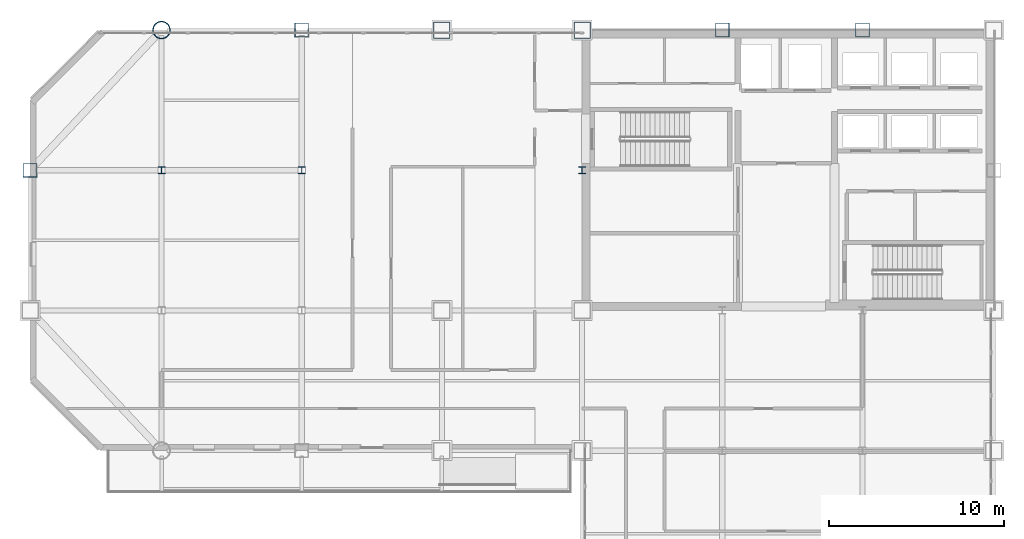
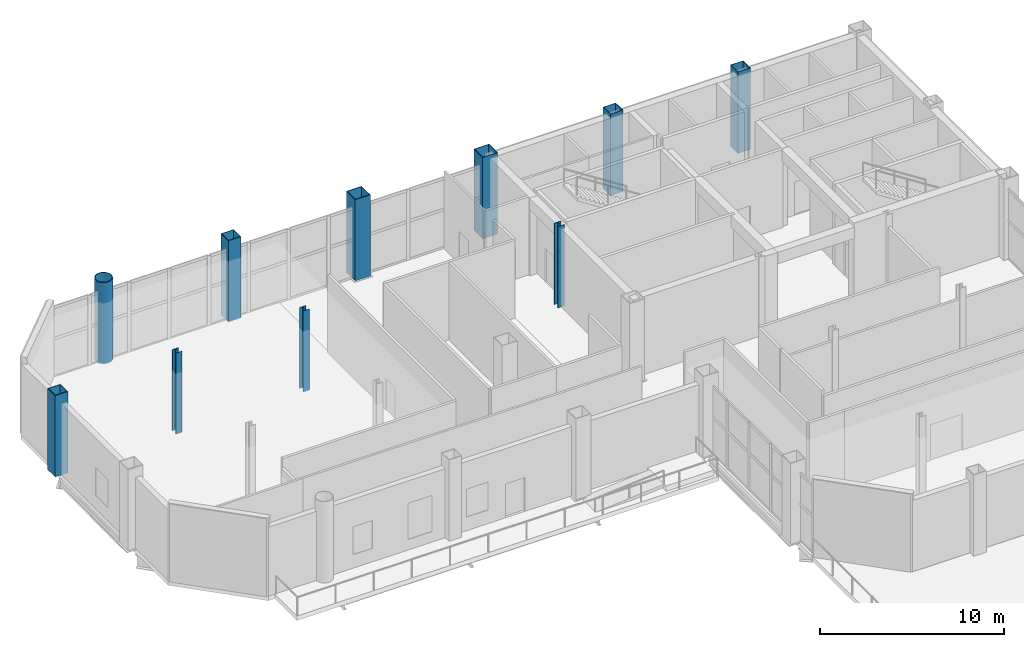
# One storey, part 3 of 21: 10 columns.
"""IFC4 building model written with IfcOpenShell, lengths in metres."""

from ifc_helpers import new_model, si_unit, direction, frame, origin, origin_2d, place, context, subcontext, project, spatial, hollow_rectangle, hollow_circle, i_section, extrude, material, material_profile, profile_set, type_object, element, save


model = new_model("IFC4")

# Units and contexts
model_context = context("Model", 3, precision=1e-05, world=origin(), true_north=direction((0.0, 1.0)))
body_context = subcontext(model_context, "Body", "Model", "MODEL_VIEW")
ifc_project = project(units=[si_unit("LENGTHUNIT", "METRE"), si_unit("AREAUNIT", "SQUARE_METRE"), si_unit("VOLUMEUNIT", "CUBIC_METRE"), si_unit("PLANEANGLEUNIT", "RADIAN"), si_unit("MASSUNIT", "GRAM", prefix="KILO")], contexts=[model_context])

# Site, building, storey
site_placement = place(None, origin())
site = spatial("IfcSite", under=ifc_project, at=site_placement, CompositionType="ELEMENT")
building_placement = place(site_placement, origin())
building = spatial("IfcBuilding", under=site, at=building_placement, Name="Qianrong Seaharbour Tower", CompositionType="ELEMENT")
storey_placement = place(building_placement, frame((0.0, 0.0, 200.39990234375)))
storey = spatial("IfcBuildingStorey", under=building, at=storey_placement, Name="L48", CompositionType="ELEMENT", Elevation=200.39990234375)

# Columns
ifc_material = material(Name="Structural steel SN490B", Category="steel")
ifc_material_profile_1 = material_profile(ifc_material, hollow_rectangle(XDim=0.949951171875, YDim=0.949951171875, WallThickness=0.035888671875, at=origin_2d()), Name="BOX950x950x36")
ifc_profile_set_1 = profile_set([ifc_material_profile_1], Name="Structural steel SN490B")
column_type_1 = type_object("IfcColumnType", Name="COL-CFT-950", PredefinedType="COLUMN", material=ifc_profile_set_1)
for number, where, z_axis, x_axis, name in (
    (1, (32.5, 52.0, 0.0), (0.0, 0.0, 1.0), (1.0, 0.0, 0.0), "L48 Column MC-4 at G5/GH"),
    (2, (40.5, 52.0, 0.0), (0.0, 0.0, 1.0), (1.0, 0.0, 0.0), "L48 Column MC-4 at G6/GH"),
):
    element("IfcColumn", number, at=place(storey_placement, frame(where, z_axis=z_axis, x_axis=x_axis)), inside=storey, type_object=column_type_1, Name=name, PredefinedType="COLUMN", context=body_context, shape_type="SweptSolid", body=[
        extrude(hollow_rectangle(XDim=0.949951171875, YDim=0.949951171875, WallThickness=0.035888671875, at=origin_2d()), origin(), (0.0, 0.0, 1.0), 5.400146484375),
    ])
ifc_material_profile_2 = material_profile(ifc_material, hollow_circle(Radius=0.5, WallThickness=0.035888671875, at=origin_2d()), Name="CHS1000x36")
ifc_profile_set_2 = profile_set([ifc_material_profile_2], Name="Structural steel SN490B")
column_type_2 = type_object("IfcColumnType", Name="COL-CHS-1000", PredefinedType="COLUMN", material=ifc_profile_set_2)
column_placement = place(storey_placement, frame((16.5, 52.0, 0.0), z_axis=(0.0, 0.0, 1.0), x_axis=(1.0, 0.0, 0.0)))
element("IfcColumn", 3, at=column_placement, inside=storey, type_object=column_type_2, Name="L48 Column CC-2 at G3/GH", PredefinedType="COLUMN", context=body_context, shape_type="SweptSolid", body=[
    extrude(hollow_circle(Radius=0.5, WallThickness=0.035888671875, at=origin_2d()), origin(), (0.0, 0.0, 1.0), 5.400146484375),
])
ifc_material_profile_3 = material_profile(ifc_material, i_section(OverallWidth=0.39990234375, OverallDepth=0.39990234375, WebThickness=0.012939453125, FlangeThickness=0.02099609375, FilletRadius=0.02197265625, at=origin_2d()), Name="H400x400x13x21")
ifc_profile_set_3 = profile_set([ifc_material_profile_3], Name="Structural steel SN490B")
column_type_3 = type_object("IfcColumnType", Name="COL-INT-H400", PredefinedType="COLUMN", material=ifc_profile_set_3)
for number, where, z_axis, x_axis, name in (
    (4, (16.5, 44.0, 0.0), (0.0, 0.0, 1.0), (1.0, 0.0, 0.0), "L48 Column IC-3 at G3/GG"),
    (5, (24.5, 44.0, 0.0), (0.0, 0.0, 1.0), (1.0, 0.0, 0.0), "L48 Column IC-3 at G4/GG"),
    (6, (40.5, 44.0, 0.0), (0.0, 0.0, 1.0), (1.0, 0.0, 0.0), "L48 Column IC-3 at G6/GG"),
):
    element("IfcColumn", number, at=place(storey_placement, frame(where, z_axis=z_axis, x_axis=x_axis)), inside=storey, type_object=column_type_3, Name=name, PredefinedType="COLUMN", context=body_context, shape_type="SweptSolid", body=[
        extrude(i_section(OverallWidth=0.39990234375, OverallDepth=0.39990234375, WebThickness=0.012939453125, FlangeThickness=0.02099609375, FilletRadius=0.02197265625, at=origin_2d()), origin(), (0.0, 0.0, 1.0), 5.400146484375),
    ])
ifc_material_profile_4 = material_profile(ifc_material, hollow_rectangle(XDim=0.800048828125, YDim=0.800048828125, WallThickness=0.031982421875, at=origin_2d()), Name="BOX800x800x32")
ifc_profile_set_4 = profile_set([ifc_material_profile_4], Name="Structural steel SN490B")
column_type_4 = type_object("IfcColumnType", Name="COL-PER-800", PredefinedType="COLUMN", material=ifc_profile_set_4)
for number, where, z_axis, x_axis, name in (
    (7, (9.0, 44.0, 0.0), (0.0, 0.0, 1.0), (1.0, 0.0, 0.0), "L48 Column PC-3 at G2/GG"),
    (8, (24.5, 52.0, 0.0), (0.0, 0.0, 1.0), (1.0, 0.0, 0.0), "L48 Column PC-3 at G4/GH"),
    (9, (48.5, 52.0, 0.0), (0.0, 0.0, 1.0), (1.0, 0.0, 0.0), "L48 Column PC-3 at G7/GH"),
    (10, (56.5, 52.0, 0.0), (0.0, 0.0, 1.0), (1.0, 0.0, 0.0), "L48 Column PC-3 at G8/GH"),
):
    element("IfcColumn", number, at=place(storey_placement, frame(where, z_axis=z_axis, x_axis=x_axis)), inside=storey, type_object=column_type_4, Name=name, PredefinedType="COLUMN", context=body_context, shape_type="SweptSolid", body=[
        extrude(hollow_rectangle(XDim=0.800048828125, YDim=0.800048828125, WallThickness=0.031982421875, at=origin_2d()), origin(), (0.0, 0.0, 1.0), 5.400146484375),
    ])

save(model, "model.ifc")
